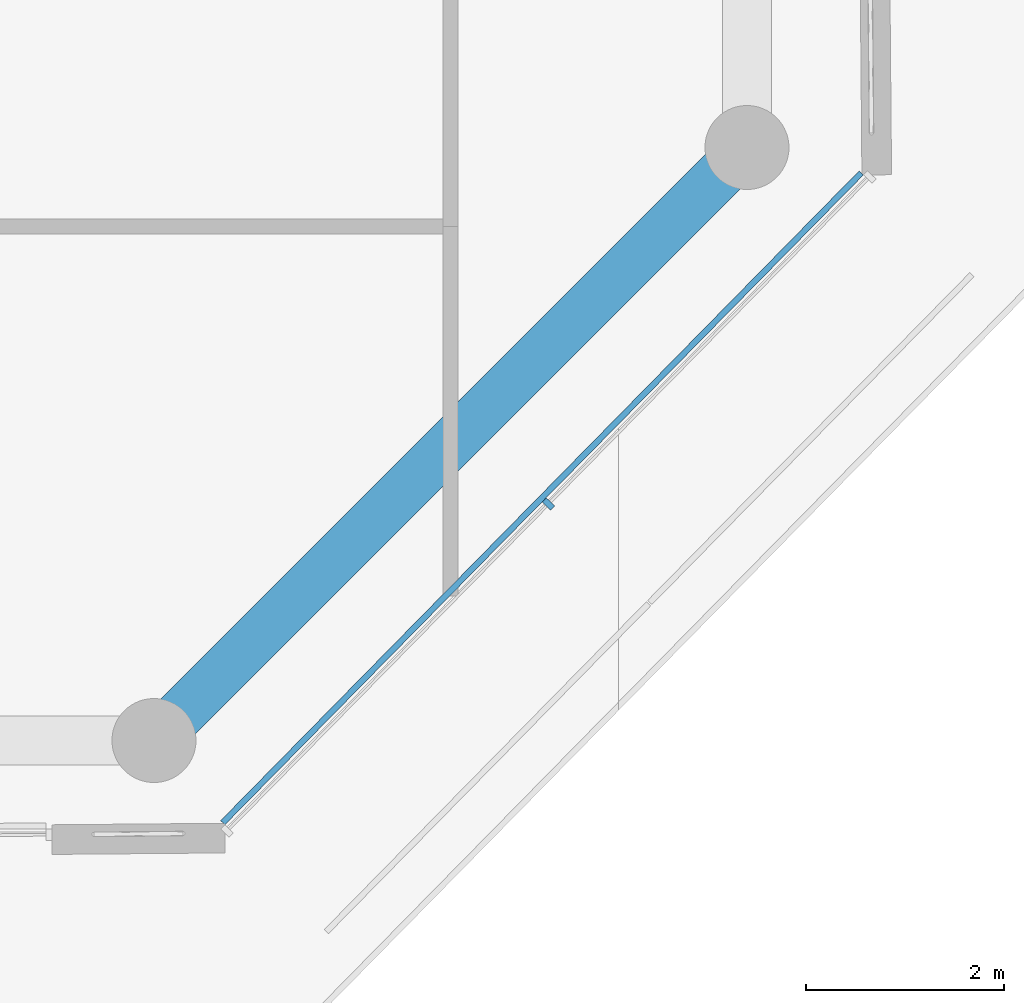
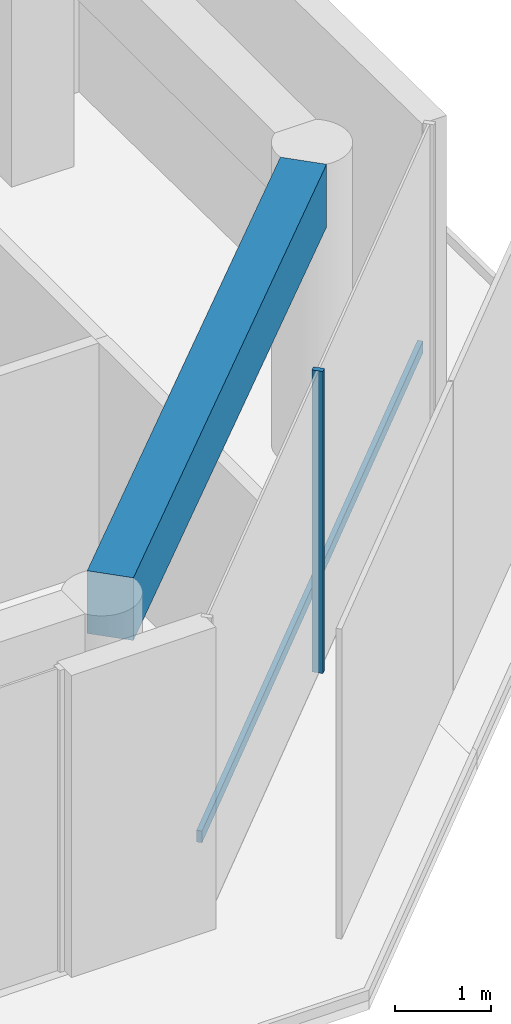
# One storey, part 3 of 18: 2 members, 1 beam, 1 element without a shape of its own.
"""IFC4 building model written with IfcOpenShell, lengths in metres."""

from ifc_helpers import new_model, si_unit, direction, frame, origin, origin_2d, place, context, subcontext, project, spatial, rectangle, extrude, material, layer, layer_set, material_profile, profile_set, type_object, element, aggregate, save


model = new_model("IFC4")

# Units and contexts
model_context = context("Model", 3, precision=1e-05, world=origin(), true_north=direction((0.0, 1.0)))
body_context = subcontext(model_context, "Body", "Model", "MODEL_VIEW")
ifc_project = project(units=[si_unit("LENGTHUNIT", "METRE"), si_unit("AREAUNIT", "SQUARE_METRE"), si_unit("VOLUMEUNIT", "CUBIC_METRE"), si_unit("PLANEANGLEUNIT", "RADIAN"), si_unit("MASSUNIT", "GRAM", prefix="KILO")], contexts=[model_context])

# Site, building, storey
site_placement = place(None, origin())
site = spatial("IfcSite", under=ifc_project, at=site_placement, CompositionType="ELEMENT")
building_placement = place(site_placement, origin())
building = spatial("IfcBuilding", under=site, at=building_placement, Name="Welwitschia Terrace Campus", CompositionType="ELEMENT")
storey_placement = place(building_placement, frame((0.0, 0.0, 289.39990234375)))
storey = spatial("IfcBuildingStorey", under=building, at=storey_placement, Name="L64", CompositionType="ELEMENT", Elevation=289.39990234375)

# Curtain wall, member
ifc_material_1 = material(Name="Bronze anodised aluminium", Category="aluminium")
ifc_layer = layer(ifc_material_1, 0.1201171875)
ifc_layer_set = layer_set([ifc_layer], Name="Bronze anodised aluminium")
curtain_wall_type = type_object("IfcCurtainWallType", Name="Curtain wall CW2 tower 6000", PredefinedType="NOTDEFINED", material=ifc_layer_set)
curtain_wall_placement = place(storey_placement, origin())
curtain_wall = element("IfcCurtainWall", 1, at=curtain_wall_placement, inside=storey, type_object=curtain_wall_type, Name="CW L64.5.0", PredefinedType="NOTDEFINED")
ifc_material_2 = material(Name="Bronze anodised aluminium", Category="aluminium")
ifc_material_profile_1 = material_profile(ifc_material_2, rectangle(XDim=0.1201171875, YDim=0.06005859375, at=origin_2d()))
ifc_profile_set_1 = profile_set([ifc_material_profile_1], Name="Bronze anodised aluminium")
member_type_1 = type_object("IfcMemberType", Name="Mullion 60x120", PredefinedType="MULLION", material=ifc_profile_set_1)
member_1_placement = place(storey_placement, frame((27.99072265625, -1.607177734375, 0.0), z_axis=(0.0, 0.0, 1.0), x_axis=(-0.713250449154, 0.7009092643, 0.0)))
member_1 = element("IfcMember", 2, at=member_1_placement, type_object=member_type_1, Name="Mullion L64.5.0.1", PredefinedType="MULLION", context=body_context, shape_type="SweptSolid", body=[
    extrude(rectangle(XDim=0.1201171875, YDim=0.06005859375, at=origin_2d()), origin(), (0.0, 0.0, 1.0), 3.85009765625),
])

# Beam
ifc_material_3 = material(Name="Concrete C50/60", Category="concrete")
ifc_material_profile_2 = material_profile(ifc_material_3, rectangle(XDim=0.5, YDim=0.800048828125, at=origin_2d()))
ifc_profile_set_2 = profile_set([ifc_material_profile_2], Name="Concrete C50/60")
beam_type = type_object("IfcBeamType", Name="Ring spandrel 500x800", PredefinedType="SPANDREL", material=ifc_profile_set_2)
beam_placement = place(storey_placement, frame((24.24365234375, -3.75634765625, 3.4501953125), z_axis=(0.707106781187, 0.707106781187, 0.0), x_axis=(-0.707106781187, 0.707106781187, 0.0)))
element("IfcBeam", 3, at=beam_placement, inside=storey, type_object=beam_type, Name="Spandrel SP4", PredefinedType="SPANDREL", context=body_context, shape_type="SweptSolid", body=[
    extrude(rectangle(XDim=0.5, YDim=0.800048828125, at=origin_2d()), origin(), (0.0, 0.0, 1.0), 7.796142578125),
])

# Member
ifc_material_4 = material(Name="Bronze anodised aluminium", Category="aluminium")
ifc_material_profile_3 = material_profile(ifc_material_4, rectangle(XDim=0.06005859375, YDim=0.14990234375, at=origin_2d()))
ifc_profile_set_3 = profile_set([ifc_material_profile_3], Name="Bronze anodised aluminium")
member_type_2 = type_object("IfcMemberType", Name="Transom 60x150", PredefinedType="USERDEFINED", material=ifc_profile_set_3)
member_2_placement = place(storey_placement, frame((24.69580078125, -4.83154296875, 1.0), z_axis=(0.700908994929, 0.713250713864, 0.0), x_axis=(-0.713250713864, 0.700908994929, 0.0)))
member_2 = element("IfcMember", 4, at=member_2_placement, type_object=member_type_2, Name="Transom L64.5.0", ObjectType="TRANSOM", PredefinedType="USERDEFINED", context=body_context, shape_type="SweptSolid", body=[
    extrude(rectangle(XDim=0.06005859375, YDim=0.14990234375, at=origin_2d()), origin(), (0.0, 0.0, 1.0), 9.21826171875),
])

aggregate(curtain_wall, [member_1, member_2])

save(model, "model.ifc")
